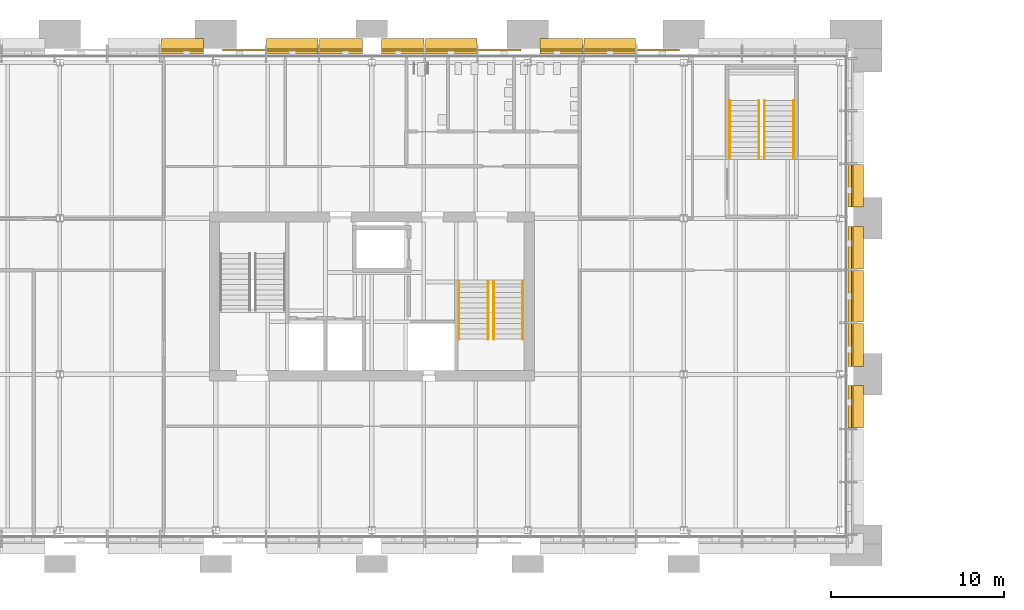
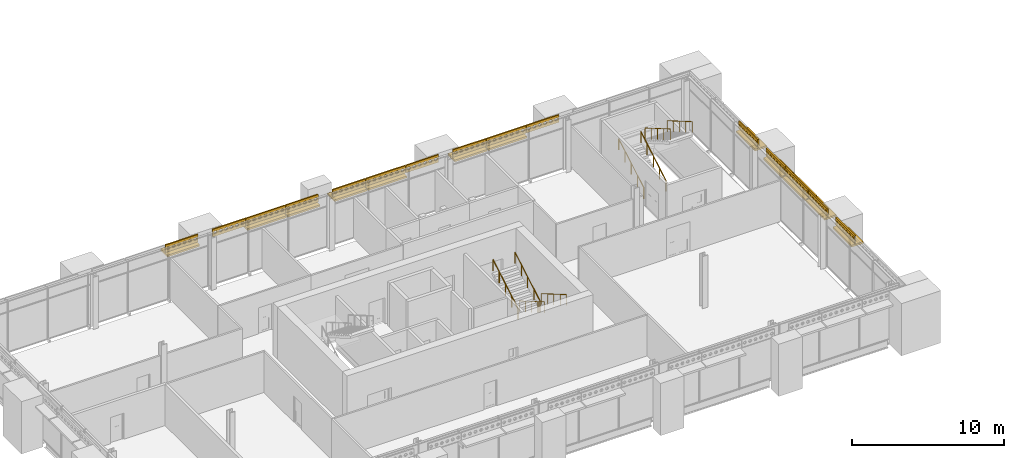
# One storey, part 48 of 54: 27 shading devices, 8 railings.
"""IFC4 building model written with IfcOpenShell, lengths in metres."""

from ifc_helpers import new_model, si_unit, direction, frame, origin, origin_2d, place, context, subcontext, project, spatial, polyline, rectangle, circle, outline, extrude, material, layer, layer_set, type_object, element, save


model = new_model("IFC4")

# Units and contexts
model_context = context("Model", 3, precision=1e-05, world=origin(), true_north=direction((0.0, 1.0)))
body_context = subcontext(model_context, "Body", "Model", "MODEL_VIEW")
ifc_project = project(units=[si_unit("LENGTHUNIT", "METRE"), si_unit("AREAUNIT", "SQUARE_METRE"), si_unit("VOLUMEUNIT", "CUBIC_METRE"), si_unit("PLANEANGLEUNIT", "RADIAN"), si_unit("MASSUNIT", "GRAM", prefix="KILO")], contexts=[model_context])

# Site, building, storey
site_placement = place(None, origin())
site = spatial("IfcSite", under=ifc_project, at=site_placement, CompositionType="ELEMENT")
building_placement = place(site_placement, origin())
building = spatial("IfcBuilding", under=site, at=building_placement, Name="Baradari Gate Terminus", CompositionType="ELEMENT")
storey_placement = place(building_placement, frame((0.0, 0.0, 15.89990234375)))
storey = spatial("IfcBuildingStorey", under=building, at=storey_placement, Name="L03", CompositionType="ELEMENT", Elevation=15.89990234375)

# Shading devices
ifc_material_1 = material(Name="Concrete C40/50 precast", Category="concrete")
ifc_layer_1 = layer(ifc_material_1, 0.14990234375)
ifc_layer_set_1 = layer_set([ifc_layer_1], Name="Concrete C40/50 precast")
shading_device_type_1 = type_object("IfcShadingDeviceType", Name="Chhajja band CJ-1 900x150", PredefinedType="AWNING", material=ifc_layer_set_1)
shading_device_1_placement = place(storey_placement, frame((25.062255859375, 144.919921875, 3.332763671875), z_axis=(0.0, 0.0, 1.0), x_axis=(1.0, 0.0, 0.0)))
element("IfcShadingDevice", 1, at=shading_device_1_placement, inside=storey, type_object=shading_device_type_1, Name="Chhajja band CJ-1 L03/TN bay 6", PredefinedType="AWNING", context=body_context, shape_type="SweptSolid", body=[
    extrude(rectangle(XDim=2.462158203125, YDim=0.89990234375, at=origin_2d()), origin(), (0.0, 0.0, 1.0), 0.14990234375),
])
shading_device_2_placement = place(storey_placement, frame((31.421630859375, 144.919921875, 3.332763671875), z_axis=(0.0, 0.0, 1.0), x_axis=(1.0, 0.0, 0.0)))
element("IfcShadingDevice", 2, at=shading_device_2_placement, inside=storey, type_object=shading_device_type_1, Name="Chhajja band CJ-1 L03/TN bay 8", PredefinedType="AWNING", context=body_context, shape_type="SweptSolid", body=[
    extrude(rectangle(XDim=2.97216796875, YDim=0.89990234375, at=origin_2d()), origin(), (0.0, 0.0, 1.0), 0.14990234375),
])
for number, where, z_axis, x_axis, name in (
    (3, (34.218994140625, 144.919921875, 3.332763671875), (0.0, 0.0, 1.0), (1.0, 0.0, 0.0), "Chhajja band CJ-1 L03/TN bay 9"),
    (4, (37.781005859375, 144.919921875, 3.332763671875), (0.0, 0.0, 1.0), (1.0, 0.0, 0.0), "Chhajja band CJ-1 L03/TN bay 10"),
):
    element("IfcShadingDevice", number, at=place(storey_placement, frame(where, z_axis=z_axis, x_axis=x_axis)), inside=storey, type_object=shading_device_type_1, Name=name, PredefinedType="AWNING", context=body_context, shape_type="SweptSolid", body=[
        extrude(rectangle(XDim=2.462158203125, YDim=0.89990234375, at=origin_2d()), origin(), (0.0, 0.0, 1.0), 0.14990234375),
    ])
shading_device_3_placement = place(storey_placement, frame((40.578369140625, 144.919921875, 3.332763671875), z_axis=(0.0, 0.0, 1.0), x_axis=(1.0, 0.0, 0.0)))
element("IfcShadingDevice", 5, at=shading_device_3_placement, inside=storey, type_object=shading_device_type_1, Name="Chhajja band CJ-1 L03/TN bay 11", PredefinedType="AWNING", context=body_context, shape_type="SweptSolid", body=[
    extrude(rectangle(XDim=2.97216796875, YDim=0.89990234375, at=origin_2d()), origin(), (0.0, 0.0, 1.0), 0.14990234375),
])
shading_device_4_placement = place(storey_placement, frame((46.937744140625, 144.919921875, 3.332763671875), z_axis=(0.0, 0.0, 1.0), x_axis=(1.0, 0.0, 0.0)))
element("IfcShadingDevice", 6, at=shading_device_4_placement, inside=storey, type_object=shading_device_type_1, Name="Chhajja band CJ-1 L03/TN bay 13", PredefinedType="AWNING", context=body_context, shape_type="SweptSolid", body=[
    extrude(rectangle(XDim=2.462158203125, YDim=0.89990234375, at=origin_2d()), origin(), (0.0, 0.0, 1.0), 0.14990234375),
])
shading_device_5_placement = place(storey_placement, frame((49.735107421875, 144.919921875, 3.332763671875), z_axis=(0.0, 0.0, 1.0), x_axis=(1.0, 0.0, 0.0)))
element("IfcShadingDevice", 7, at=shading_device_5_placement, inside=storey, type_object=shading_device_type_1, Name="Chhajja band CJ-1 L03/TN bay 14", PredefinedType="AWNING", context=body_context, shape_type="SweptSolid", body=[
    extrude(rectangle(XDim=2.97216796875, YDim=0.89990234375, at=origin_2d()), origin(), (0.0, 0.0, 1.0), 0.14990234375),
])
for number, where, z_axis, x_axis, name in (
    (8, (63.919921875, 124.125, 3.332763671875), (0.0, 0.0, 1.0), (0.0, 1.0, 0.0), "Chhajja band CJ-1 L03/TE bay 3"),
    (9, (63.919921875, 127.695068359375, 3.332763671875), (0.0, 0.0, 1.0), (0.0, 1.0, 0.0), "Chhajja band CJ-1 L03/TE bay 4"),
):
    element("IfcShadingDevice", number, at=place(storey_placement, frame(where, z_axis=z_axis, x_axis=x_axis)), inside=storey, type_object=shading_device_type_1, Name=name, PredefinedType="AWNING", context=body_context, shape_type="SweptSolid", body=[
        extrude(rectangle(XDim=2.469970703125, YDim=0.89990234375, at=origin_2d()), origin(), (0.0, 0.0, 1.0), 0.14990234375),
    ])
shading_device_6_placement = place(storey_placement, frame((63.919921875, 130.5, 3.332763671875), z_axis=(0.0, 0.0, 1.0), x_axis=(0.0, 1.0, 0.0)))
element("IfcShadingDevice", 10, at=shading_device_6_placement, inside=storey, type_object=shading_device_type_1, Name="Chhajja band CJ-1 L03/TE bay 5", PredefinedType="AWNING", context=body_context, shape_type="SweptSolid", body=[
    extrude(rectangle(XDim=2.97998046875, YDim=0.89990234375, at=origin_2d()), origin(), (0.0, 0.0, 1.0), 0.14990234375),
])
for number, where, z_axis, x_axis, name in (
    (11, (63.919921875, 133.304931640625, 3.332763671875), (0.0, 0.0, 1.0), (0.0, 1.0, 0.0), "Chhajja band CJ-1 L03/TE bay 6"),
    (12, (63.919921875, 136.875, 3.332763671875), (0.0, 0.0, 1.0), (0.0, 1.0, 0.0), "Chhajja band CJ-1 L03/TE bay 7"),
):
    element("IfcShadingDevice", number, at=place(storey_placement, frame(where, z_axis=z_axis, x_axis=x_axis)), inside=storey, type_object=shading_device_type_1, Name=name, PredefinedType="AWNING", context=body_context, shape_type="SweptSolid", body=[
        extrude(rectangle(XDim=2.469970703125, YDim=0.89990234375, at=origin_2d()), origin(), (0.0, 0.0, 1.0), 0.14990234375),
    ])

# Railings
ifc_material_2 = material(Name="Stainless steel 1.4301", Category="steel")
railing_type = type_object("IfcRailingType", Name="Handrail HR-1 900", PredefinedType="HANDRAIL", material=ifc_material_2)
for number, where, name in (
    (13, (44.715087890625, 131.324951171875, 0.175048828125), "Handrail ST-T2 L03 flight 1"),
    (14, (43.034912109375, 131.324951171875, 0.175048828125), "Handrail ST-T2 L03 flight 1"),
):
    element("IfcRailing", number, at=place(storey_placement, frame(where)), inside=storey, type_object=railing_type, Name=name, PredefinedType="HANDRAIL", context=body_context, shape_type="SweptSolid", body=[
        extrude(circle(Radius=0.02392578125, at=origin_2d()), frame((0.0, 0.0, 0.8759765625), z_axis=(0.0, -0.863776583165, 0.503874998761), x_axis=(1.0, 0.0, 0.0)), (0.0, 0.0, 1.0), 3.820556640625),
        extrude(circle(Radius=0.02099609375, at=origin_2d()), origin(), (0.0, 0.0, 1.0), 0.851806640625),
        extrude(circle(Radius=0.02099609375, at=origin_2d()), frame((0.0, -0.824951171875, 0.481201171875)), (0.0, 0.0, 1.0), 0.851806640625),
        extrude(circle(Radius=0.02099609375, at=origin_2d()), frame((0.0, -1.64990234375, 0.96240234375)), (0.0, 0.0, 1.0), 0.851806640625),
        extrude(circle(Radius=0.02099609375, at=origin_2d()), frame((0.0, -2.47509765625, 1.44384765625)), (0.0, 0.0, 1.0), 0.851806640625),
        extrude(circle(Radius=0.02099609375, at=origin_2d()), frame((0.0, -3.300048828125, 1.925048828125)), (0.0, 0.0, 1.0), 0.851806640625),
    ])
for number, where, name in (
    (15, (42.715087890625, 128.02490234375, 2.275146484375), "Handrail ST-T2 L03 flight 2"),
    (16, (41.034912109375, 128.02490234375, 2.275146484375), "Handrail ST-T2 L03 flight 2"),
    (17, (56.659912109375, 138.5, 0.175048828125), "Handrail ST-T3 L03 flight 1"),
    (18, (58.340087890625, 138.5, 0.175048828125), "Handrail ST-T3 L03 flight 1"),
):
    element("IfcRailing", number, at=place(storey_placement, frame(where)), inside=storey, type_object=railing_type, Name=name, PredefinedType="HANDRAIL", context=body_context, shape_type="SweptSolid", body=[
        extrude(circle(Radius=0.02392578125, at=origin_2d()), frame((0.0, 0.0, 0.8759765625), z_axis=(0.0, 0.863776583165, 0.503874998761), x_axis=(-1.0, 0.0, 0.0)), (0.0, 0.0, 1.0), 3.820556640625),
        extrude(circle(Radius=0.02099609375, at=origin_2d()), origin(), (0.0, 0.0, 1.0), 0.851806640625),
        extrude(circle(Radius=0.02099609375, at=origin_2d()), frame((0.0, 0.824951171875, 0.481201171875)), (0.0, 0.0, 1.0), 0.851806640625),
        extrude(circle(Radius=0.02099609375, at=origin_2d()), frame((0.0, 1.64990234375, 0.96240234375)), (0.0, 0.0, 1.0), 0.851806640625),
        extrude(circle(Radius=0.02099609375, at=origin_2d()), frame((0.0, 2.47509765625, 1.44384765625)), (0.0, 0.0, 1.0), 0.851806640625),
        extrude(circle(Radius=0.02099609375, at=origin_2d()), frame((0.0, 3.300048828125, 1.925048828125)), (0.0, 0.0, 1.0), 0.851806640625),
    ])
for number, where, name in (
    (19, (58.659912109375, 141.800048828125, 2.275146484375), "Handrail ST-T3 L03 flight 2"),
    (20, (60.340087890625, 141.800048828125, 2.275146484375), "Handrail ST-T3 L03 flight 2"),
):
    element("IfcRailing", number, at=place(storey_placement, frame(where)), inside=storey, type_object=railing_type, Name=name, PredefinedType="HANDRAIL", context=body_context, shape_type="SweptSolid", body=[
        extrude(circle(Radius=0.02392578125, at=origin_2d()), frame((0.0, 0.0, 0.8759765625), z_axis=(0.0, -0.863776583165, 0.503874998761), x_axis=(1.0, 0.0, 0.0)), (0.0, 0.0, 1.0), 3.820556640625),
        extrude(circle(Radius=0.02099609375, at=origin_2d()), origin(), (0.0, 0.0, 1.0), 0.851806640625),
        extrude(circle(Radius=0.02099609375, at=origin_2d()), frame((0.0, -0.824951171875, 0.481201171875)), (0.0, 0.0, 1.0), 0.851806640625),
        extrude(circle(Radius=0.02099609375, at=origin_2d()), frame((0.0, -1.64990234375, 0.96240234375)), (0.0, 0.0, 1.0), 0.851806640625),
        extrude(circle(Radius=0.02099609375, at=origin_2d()), frame((0.0, -2.47509765625, 1.44384765625)), (0.0, 0.0, 1.0), 0.851806640625),
        extrude(circle(Radius=0.02099609375, at=origin_2d()), frame((0.0, -3.300048828125, 1.925048828125)), (0.0, 0.0, 1.0), 0.851806640625),
    ])

# Shading devices
ifc_material_3 = material(Name="Concrete C50/60 precast", Category="concrete")
ifc_layer_2 = layer(ifc_material_3, 0.10009765625)
ifc_layer_set_2 = layer_set([ifc_layer_2], Name="Concrete C50/60 precast")
shading_device_type_2 = type_object("IfcShadingDeviceType", Name="Jali screen panel JS-1 100", PredefinedType="SHUTTER", material=ifc_layer_set_2)
for number, where, z_axis, x_axis, name in (
    (21, (23.81103515625, 144.719970703125, 3.583740234375), (0.0, 0.0, 1.0), (1.0, 0.0, 0.0), "Jali screen panel JS-1 L03/TN bay 6"),
    (22, (27.393310546875, 144.719970703125, 3.583740234375), (0.0, 0.0, 1.0), (1.0, 0.0, 0.0), "Jali screen panel JS-1 L03/TN bay 7"),
):
    element("IfcShadingDevice", number, at=place(storey_placement, frame(where, z_axis=z_axis, x_axis=x_axis)), inside=storey, type_object=shading_device_type_2, Name=name, PredefinedType="SHUTTER", context=body_context, shape_type="SweptSolid", body=[
        extrude(outline(polyline([(0.0, 0.0), (2.482177734375, 0.0), (2.482177734375, 0.60009765625), (0.0, 0.60009765625), (0.0, 0.0)]), holes=[polyline([(0.3369140625, 0.300048828125), (0.27197265625, 0.1875), (0.141845703125, 0.1875), (0.076904296875, 0.300048828125), (0.141845703125, 0.41259765625), (0.27197265625, 0.41259765625), (0.3369140625, 0.300048828125)]), polyline([(0.75048828125, 0.300048828125), (0.685546875, 0.1875), (0.5556640625, 0.1875), (0.490478515625, 0.300048828125), (0.5556640625, 0.41259765625), (0.685546875, 0.41259765625), (0.75048828125, 0.300048828125)]), polyline([(1.164306640625, 0.300048828125), (1.099365234375, 0.1875), (0.96923828125, 0.1875), (0.904296875, 0.300048828125), (0.96923828125, 0.41259765625), (1.099365234375, 0.41259765625), (1.164306640625, 0.300048828125)]), polyline([(1.577880859375, 0.300048828125), (1.512939453125, 0.1875), (1.383056640625, 0.1875), (1.31787109375, 0.300048828125), (1.383056640625, 0.41259765625), (1.512939453125, 0.41259765625), (1.577880859375, 0.300048828125)]), polyline([(1.99169921875, 0.300048828125), (1.9267578125, 0.1875), (1.796630859375, 0.1875), (1.731689453125, 0.300048828125), (1.796630859375, 0.41259765625), (1.9267578125, 0.41259765625), (1.99169921875, 0.300048828125)]), polyline([(2.4052734375, 0.300048828125), (2.34033203125, 0.1875), (2.21044921875, 0.1875), (2.145263671875, 0.300048828125), (2.21044921875, 0.41259765625), (2.34033203125, 0.41259765625), (2.4052734375, 0.300048828125)])]), frame((0.0, 0.050048828125, 0.0), z_axis=(0.0, -1.0, 0.0), x_axis=(1.0, 0.0, 0.0)), (0.0, 0.0, 1.0), 0.10009765625),
    ])
shading_device_7_placement = place(storey_placement, frame((29.91552734375, 144.719970703125, 3.583740234375), z_axis=(0.0, 0.0, 1.0), x_axis=(1.0, 0.0, 0.0)))
element("IfcShadingDevice", 23, at=shading_device_7_placement, inside=storey, type_object=shading_device_type_2, Name="Jali screen panel JS-1 L03/TN bay 8", PredefinedType="SHUTTER", context=body_context, shape_type="SweptSolid", body=[
    extrude(outline(polyline([(0.0, 0.0), (3.01220703125, 0.0), (3.01220703125, 0.60009765625), (0.0, 0.60009765625), (0.0, 0.0)]), holes=[polyline([(0.34521484375, 0.300048828125), (0.2802734375, 0.1875), (0.150146484375, 0.1875), (0.085205078125, 0.300048828125), (0.150146484375, 0.41259765625), (0.2802734375, 0.41259765625), (0.34521484375, 0.300048828125)]), polyline([(0.775390625, 0.300048828125), (0.71044921875, 0.1875), (0.58056640625, 0.1875), (0.515380859375, 0.300048828125), (0.58056640625, 0.41259765625), (0.71044921875, 0.41259765625), (0.775390625, 0.300048828125)]), polyline([(1.205810546875, 0.300048828125), (1.140869140625, 0.1875), (1.0107421875, 0.1875), (0.94580078125, 0.300048828125), (1.0107421875, 0.41259765625), (1.140869140625, 0.41259765625), (1.205810546875, 0.300048828125)]), polyline([(1.63623046875, 0.300048828125), (1.571044921875, 0.1875), (1.441162109375, 0.1875), (1.376220703125, 0.300048828125), (1.441162109375, 0.41259765625), (1.571044921875, 0.41259765625), (1.63623046875, 0.300048828125)]), polyline([(2.06640625, 0.300048828125), (2.00146484375, 0.1875), (1.871337890625, 0.1875), (1.806396484375, 0.300048828125), (1.871337890625, 0.41259765625), (2.00146484375, 0.41259765625), (2.06640625, 0.300048828125)]), polyline([(2.496826171875, 0.300048828125), (2.431640625, 0.1875), (2.3017578125, 0.1875), (2.23681640625, 0.300048828125), (2.3017578125, 0.41259765625), (2.431640625, 0.41259765625), (2.496826171875, 0.300048828125)]), polyline([(2.927001953125, 0.300048828125), (2.862060546875, 0.1875), (2.732177734375, 0.1875), (2.6669921875, 0.300048828125), (2.732177734375, 0.41259765625), (2.862060546875, 0.41259765625), (2.927001953125, 0.300048828125)])]), frame((0.0, 0.050048828125, 0.0), z_axis=(0.0, -1.0, 0.0), x_axis=(1.0, 0.0, 0.0)), (0.0, 0.0, 1.0), 0.10009765625),
])
for number, where, z_axis, x_axis, name in (
    (24, (32.9677734375, 144.719970703125, 3.583740234375), (0.0, 0.0, 1.0), (1.0, 0.0, 0.0), "Jali screen panel JS-1 L03/TN bay 9"),
    (25, (36.550048828125, 144.719970703125, 3.583740234375), (0.0, 0.0, 1.0), (1.0, 0.0, 0.0), "Jali screen panel JS-1 L03/TN bay 10"),
):
    element("IfcShadingDevice", number, at=place(storey_placement, frame(where, z_axis=z_axis, x_axis=x_axis)), inside=storey, type_object=shading_device_type_2, Name=name, PredefinedType="SHUTTER", context=body_context, shape_type="SweptSolid", body=[
        extrude(outline(polyline([(0.0, 0.0), (2.482177734375, 0.0), (2.482177734375, 0.60009765625), (0.0, 0.60009765625), (0.0, 0.0)]), holes=[polyline([(0.3369140625, 0.300048828125), (0.27197265625, 0.1875), (0.141845703125, 0.1875), (0.076904296875, 0.300048828125), (0.141845703125, 0.41259765625), (0.27197265625, 0.41259765625), (0.3369140625, 0.300048828125)]), polyline([(0.75048828125, 0.300048828125), (0.685546875, 0.1875), (0.5556640625, 0.1875), (0.490478515625, 0.300048828125), (0.5556640625, 0.41259765625), (0.685546875, 0.41259765625), (0.75048828125, 0.300048828125)]), polyline([(1.164306640625, 0.300048828125), (1.099365234375, 0.1875), (0.96923828125, 0.1875), (0.904296875, 0.300048828125), (0.96923828125, 0.41259765625), (1.099365234375, 0.41259765625), (1.164306640625, 0.300048828125)]), polyline([(1.577880859375, 0.300048828125), (1.512939453125, 0.1875), (1.383056640625, 0.1875), (1.31787109375, 0.300048828125), (1.383056640625, 0.41259765625), (1.512939453125, 0.41259765625), (1.577880859375, 0.300048828125)]), polyline([(1.99169921875, 0.300048828125), (1.9267578125, 0.1875), (1.796630859375, 0.1875), (1.731689453125, 0.300048828125), (1.796630859375, 0.41259765625), (1.9267578125, 0.41259765625), (1.99169921875, 0.300048828125)]), polyline([(2.4052734375, 0.300048828125), (2.34033203125, 0.1875), (2.21044921875, 0.1875), (2.145263671875, 0.300048828125), (2.21044921875, 0.41259765625), (2.34033203125, 0.41259765625), (2.4052734375, 0.300048828125)])]), frame((0.0, 0.050048828125, 0.0), z_axis=(0.0, -1.0, 0.0), x_axis=(1.0, 0.0, 0.0)), (0.0, 0.0, 1.0), 0.10009765625),
    ])
shading_device_8_placement = place(storey_placement, frame((39.072265625, 144.719970703125, 3.583740234375), z_axis=(0.0, 0.0, 1.0), x_axis=(1.0, 0.0, 0.0)))
element("IfcShadingDevice", 26, at=shading_device_8_placement, inside=storey, type_object=shading_device_type_2, Name="Jali screen panel JS-1 L03/TN bay 11", PredefinedType="SHUTTER", context=body_context, shape_type="SweptSolid", body=[
    extrude(outline(polyline([(0.0, 0.0), (3.01220703125, 0.0), (3.01220703125, 0.60009765625), (0.0, 0.60009765625), (0.0, 0.0)]), holes=[polyline([(0.34521484375, 0.300048828125), (0.2802734375, 0.1875), (0.150146484375, 0.1875), (0.085205078125, 0.300048828125), (0.150146484375, 0.41259765625), (0.2802734375, 0.41259765625), (0.34521484375, 0.300048828125)]), polyline([(0.775390625, 0.300048828125), (0.71044921875, 0.1875), (0.58056640625, 0.1875), (0.515380859375, 0.300048828125), (0.58056640625, 0.41259765625), (0.71044921875, 0.41259765625), (0.775390625, 0.300048828125)]), polyline([(1.205810546875, 0.300048828125), (1.140869140625, 0.1875), (1.0107421875, 0.1875), (0.94580078125, 0.300048828125), (1.0107421875, 0.41259765625), (1.140869140625, 0.41259765625), (1.205810546875, 0.300048828125)]), polyline([(1.63623046875, 0.300048828125), (1.571044921875, 0.1875), (1.441162109375, 0.1875), (1.376220703125, 0.300048828125), (1.441162109375, 0.41259765625), (1.571044921875, 0.41259765625), (1.63623046875, 0.300048828125)]), polyline([(2.06640625, 0.300048828125), (2.00146484375, 0.1875), (1.871337890625, 0.1875), (1.806396484375, 0.300048828125), (1.871337890625, 0.41259765625), (2.00146484375, 0.41259765625), (2.06640625, 0.300048828125)]), polyline([(2.496826171875, 0.300048828125), (2.431640625, 0.1875), (2.3017578125, 0.1875), (2.23681640625, 0.300048828125), (2.3017578125, 0.41259765625), (2.431640625, 0.41259765625), (2.496826171875, 0.300048828125)]), polyline([(2.927001953125, 0.300048828125), (2.862060546875, 0.1875), (2.732177734375, 0.1875), (2.6669921875, 0.300048828125), (2.732177734375, 0.41259765625), (2.862060546875, 0.41259765625), (2.927001953125, 0.300048828125)])]), frame((0.0, 0.050048828125, 0.0), z_axis=(0.0, -1.0, 0.0), x_axis=(1.0, 0.0, 0.0)), (0.0, 0.0, 1.0), 0.10009765625),
])
for number, where, z_axis, x_axis, name in (
    (27, (42.12451171875, 144.719970703125, 3.583740234375), (0.0, 0.0, 1.0), (1.0, 0.0, 0.0), "Jali screen panel JS-1 L03/TN bay 12"),
    (28, (45.706787109375, 144.719970703125, 3.583740234375), (0.0, 0.0, 1.0), (1.0, 0.0, 0.0), "Jali screen panel JS-1 L03/TN bay 13"),
):
    element("IfcShadingDevice", number, at=place(storey_placement, frame(where, z_axis=z_axis, x_axis=x_axis)), inside=storey, type_object=shading_device_type_2, Name=name, PredefinedType="SHUTTER", context=body_context, shape_type="SweptSolid", body=[
        extrude(outline(polyline([(0.0, 0.0), (2.482177734375, 0.0), (2.482177734375, 0.60009765625), (0.0, 0.60009765625), (0.0, 0.0)]), holes=[polyline([(0.3369140625, 0.300048828125), (0.27197265625, 0.1875), (0.141845703125, 0.1875), (0.076904296875, 0.300048828125), (0.141845703125, 0.41259765625), (0.27197265625, 0.41259765625), (0.3369140625, 0.300048828125)]), polyline([(0.75048828125, 0.300048828125), (0.685546875, 0.1875), (0.5556640625, 0.1875), (0.490478515625, 0.300048828125), (0.5556640625, 0.41259765625), (0.685546875, 0.41259765625), (0.75048828125, 0.300048828125)]), polyline([(1.164306640625, 0.300048828125), (1.099365234375, 0.1875), (0.96923828125, 0.1875), (0.904296875, 0.300048828125), (0.96923828125, 0.41259765625), (1.099365234375, 0.41259765625), (1.164306640625, 0.300048828125)]), polyline([(1.577880859375, 0.300048828125), (1.512939453125, 0.1875), (1.383056640625, 0.1875), (1.31787109375, 0.300048828125), (1.383056640625, 0.41259765625), (1.512939453125, 0.41259765625), (1.577880859375, 0.300048828125)]), polyline([(1.99169921875, 0.300048828125), (1.9267578125, 0.1875), (1.796630859375, 0.1875), (1.731689453125, 0.300048828125), (1.796630859375, 0.41259765625), (1.9267578125, 0.41259765625), (1.99169921875, 0.300048828125)]), polyline([(2.4052734375, 0.300048828125), (2.34033203125, 0.1875), (2.21044921875, 0.1875), (2.145263671875, 0.300048828125), (2.21044921875, 0.41259765625), (2.34033203125, 0.41259765625), (2.4052734375, 0.300048828125)])]), frame((0.0, 0.050048828125, 0.0), z_axis=(0.0, -1.0, 0.0), x_axis=(1.0, 0.0, 0.0)), (0.0, 0.0, 1.0), 0.10009765625),
    ])
shading_device_9_placement = place(storey_placement, frame((48.22900390625, 144.719970703125, 3.583740234375), z_axis=(0.0, 0.0, 1.0), x_axis=(1.0, 0.0, 0.0)))
element("IfcShadingDevice", 29, at=shading_device_9_placement, inside=storey, type_object=shading_device_type_2, Name="Jali screen panel JS-1 L03/TN bay 14", PredefinedType="SHUTTER", context=body_context, shape_type="SweptSolid", body=[
    extrude(outline(polyline([(0.0, 0.0), (3.01220703125, 0.0), (3.01220703125, 0.60009765625), (0.0, 0.60009765625), (0.0, 0.0)]), holes=[polyline([(0.34521484375, 0.300048828125), (0.2802734375, 0.1875), (0.150146484375, 0.1875), (0.085205078125, 0.300048828125), (0.150146484375, 0.41259765625), (0.2802734375, 0.41259765625), (0.34521484375, 0.300048828125)]), polyline([(0.775390625, 0.300048828125), (0.71044921875, 0.1875), (0.58056640625, 0.1875), (0.515380859375, 0.300048828125), (0.58056640625, 0.41259765625), (0.71044921875, 0.41259765625), (0.775390625, 0.300048828125)]), polyline([(1.205810546875, 0.300048828125), (1.140869140625, 0.1875), (1.0107421875, 0.1875), (0.94580078125, 0.300048828125), (1.0107421875, 0.41259765625), (1.140869140625, 0.41259765625), (1.205810546875, 0.300048828125)]), polyline([(1.63623046875, 0.300048828125), (1.571044921875, 0.1875), (1.441162109375, 0.1875), (1.376220703125, 0.300048828125), (1.441162109375, 0.41259765625), (1.571044921875, 0.41259765625), (1.63623046875, 0.300048828125)]), polyline([(2.06640625, 0.300048828125), (2.00146484375, 0.1875), (1.871337890625, 0.1875), (1.806396484375, 0.300048828125), (1.871337890625, 0.41259765625), (2.00146484375, 0.41259765625), (2.06640625, 0.300048828125)]), polyline([(2.496826171875, 0.300048828125), (2.431640625, 0.1875), (2.3017578125, 0.1875), (2.23681640625, 0.300048828125), (2.3017578125, 0.41259765625), (2.431640625, 0.41259765625), (2.496826171875, 0.300048828125)]), polyline([(2.927001953125, 0.300048828125), (2.862060546875, 0.1875), (2.732177734375, 0.1875), (2.6669921875, 0.300048828125), (2.732177734375, 0.41259765625), (2.862060546875, 0.41259765625), (2.927001953125, 0.300048828125)])]), frame((0.0, 0.050048828125, 0.0), z_axis=(0.0, -1.0, 0.0), x_axis=(1.0, 0.0, 0.0)), (0.0, 0.0, 1.0), 0.10009765625),
])
shading_device_10_placement = place(storey_placement, frame((51.281005859375, 144.719970703125, 3.583740234375), z_axis=(0.0, 0.0, 1.0), x_axis=(1.0, 0.0, 0.0)))
element("IfcShadingDevice", 30, at=shading_device_10_placement, inside=storey, type_object=shading_device_type_2, Name="Jali screen panel JS-1 L03/TN bay 15", PredefinedType="SHUTTER", context=body_context, shape_type="SweptSolid", body=[
    extrude(outline(polyline([(0.0, 0.0), (2.482421875, 0.0), (2.482421875, 0.60009765625), (0.0, 0.60009765625), (0.0, 0.0)]), holes=[polyline([(0.3369140625, 0.300048828125), (0.27197265625, 0.1875), (0.141845703125, 0.1875), (0.076904296875, 0.300048828125), (0.141845703125, 0.41259765625), (0.27197265625, 0.41259765625), (0.3369140625, 0.300048828125)]), polyline([(0.75048828125, 0.300048828125), (0.685546875, 0.1875), (0.5556640625, 0.1875), (0.490478515625, 0.300048828125), (0.5556640625, 0.41259765625), (0.685546875, 0.41259765625), (0.75048828125, 0.300048828125)]), polyline([(1.164306640625, 0.300048828125), (1.099365234375, 0.1875), (0.96923828125, 0.1875), (0.904296875, 0.300048828125), (0.96923828125, 0.41259765625), (1.099365234375, 0.41259765625), (1.164306640625, 0.300048828125)]), polyline([(1.577880859375, 0.300048828125), (1.512939453125, 0.1875), (1.383056640625, 0.1875), (1.31787109375, 0.300048828125), (1.383056640625, 0.41259765625), (1.512939453125, 0.41259765625), (1.577880859375, 0.300048828125)]), polyline([(1.99169921875, 0.300048828125), (1.9267578125, 0.1875), (1.796630859375, 0.1875), (1.731689453125, 0.300048828125), (1.796630859375, 0.41259765625), (1.9267578125, 0.41259765625), (1.99169921875, 0.300048828125)]), polyline([(2.4052734375, 0.300048828125), (2.34033203125, 0.1875), (2.21044921875, 0.1875), (2.145263671875, 0.300048828125), (2.21044921875, 0.41259765625), (2.34033203125, 0.41259765625), (2.4052734375, 0.300048828125)])]), frame((0.0, 0.050048828125, 0.0), z_axis=(0.0, -1.0, 0.0), x_axis=(1.0, 0.0, 0.0)), (0.0, 0.0, 1.0), 0.10009765625),
])
for number, where, z_axis, x_axis, name in (
    (31, (63.719970703125, 122.8701171875, 3.583740234375), (0.0, 0.0, 1.0), (0.0, 1.0, 0.0), "Jali screen panel JS-1 L03/TE bay 3"),
    (32, (63.719970703125, 126.4599609375, 3.583740234375), (0.0, 0.0, 1.0), (0.0, 1.0, 0.0), "Jali screen panel JS-1 L03/TE bay 4"),
):
    element("IfcShadingDevice", number, at=place(storey_placement, frame(where, z_axis=z_axis, x_axis=x_axis)), inside=storey, type_object=shading_device_type_2, Name=name, PredefinedType="SHUTTER", context=body_context, shape_type="SweptSolid", body=[
        extrude(outline(polyline([(0.0, 0.0), (2.489990234375, 0.0), (2.489990234375, 0.60009765625), (0.0, 0.60009765625), (0.0, 0.0)]), holes=[polyline([(0.33740234375, 0.300048828125), (0.2724609375, 0.1875), (0.142578125, 0.1875), (0.077392578125, 0.300048828125), (0.142578125, 0.41259765625), (0.2724609375, 0.41259765625), (0.33740234375, 0.300048828125)]), polyline([(0.75244140625, 0.300048828125), (0.6875, 0.1875), (0.5576171875, 0.1875), (0.492431640625, 0.300048828125), (0.5576171875, 0.41259765625), (0.6875, 0.41259765625), (0.75244140625, 0.300048828125)]), polyline([(1.16748046875, 0.300048828125), (1.1025390625, 0.1875), (0.972412109375, 0.1875), (0.907470703125, 0.300048828125), (0.972412109375, 0.41259765625), (1.1025390625, 0.41259765625), (1.16748046875, 0.300048828125)]), polyline([(1.58251953125, 0.300048828125), (1.517578125, 0.1875), (1.387451171875, 0.1875), (1.322509765625, 0.300048828125), (1.387451171875, 0.41259765625), (1.517578125, 0.41259765625), (1.58251953125, 0.300048828125)]), polyline([(1.99755859375, 0.300048828125), (1.9326171875, 0.1875), (1.802490234375, 0.1875), (1.737548828125, 0.300048828125), (1.802490234375, 0.41259765625), (1.9326171875, 0.41259765625), (1.99755859375, 0.300048828125)]), polyline([(2.41259765625, 0.300048828125), (2.347412109375, 0.1875), (2.217529296875, 0.1875), (2.152587890625, 0.300048828125), (2.217529296875, 0.41259765625), (2.347412109375, 0.41259765625), (2.41259765625, 0.300048828125)])]), frame((0.0, 0.050048828125, 0.0), z_axis=(0.0, -1.0, 0.0), x_axis=(1.0, 0.0, 0.0)), (0.0, 0.0, 1.0), 0.10009765625),
    ])
shading_device_11_placement = place(storey_placement, frame((63.719970703125, 128.989990234375, 3.583740234375), z_axis=(0.0, 0.0, 1.0), x_axis=(0.0, 1.0, 0.0)))
element("IfcShadingDevice", 33, at=shading_device_11_placement, inside=storey, type_object=shading_device_type_2, Name="Jali screen panel JS-1 L03/TE bay 5", PredefinedType="SHUTTER", context=body_context, shape_type="SweptSolid", body=[
    extrude(outline(polyline([(0.0, 0.0), (3.02001953125, 0.0), (3.02001953125, 0.60009765625), (0.0, 0.60009765625), (0.0, 0.0)]), holes=[polyline([(0.345703125, 0.300048828125), (0.28076171875, 0.1875), (0.150634765625, 0.1875), (0.085693359375, 0.300048828125), (0.150634765625, 0.41259765625), (0.28076171875, 0.41259765625), (0.345703125, 0.300048828125)]), polyline([(0.777099609375, 0.300048828125), (0.712158203125, 0.1875), (0.58203125, 0.1875), (0.51708984375, 0.300048828125), (0.58203125, 0.41259765625), (0.712158203125, 0.41259765625), (0.777099609375, 0.300048828125)]), polyline([(1.20849609375, 0.300048828125), (1.1435546875, 0.1875), (1.013671875, 0.1875), (0.948486328125, 0.300048828125), (1.013671875, 0.41259765625), (1.1435546875, 0.41259765625), (1.20849609375, 0.300048828125)]), polyline([(1.639892578125, 0.300048828125), (1.574951171875, 0.1875), (1.445068359375, 0.1875), (1.3798828125, 0.300048828125), (1.445068359375, 0.41259765625), (1.574951171875, 0.41259765625), (1.639892578125, 0.300048828125)]), polyline([(2.071533203125, 0.300048828125), (2.00634765625, 0.1875), (1.87646484375, 0.1875), (1.8115234375, 0.300048828125), (1.87646484375, 0.41259765625), (2.00634765625, 0.41259765625), (2.071533203125, 0.300048828125)]), polyline([(2.5029296875, 0.300048828125), (2.437744140625, 0.1875), (2.307861328125, 0.1875), (2.242919921875, 0.300048828125), (2.307861328125, 0.41259765625), (2.437744140625, 0.41259765625), (2.5029296875, 0.300048828125)]), polyline([(2.934326171875, 0.300048828125), (2.869384765625, 0.1875), (2.7392578125, 0.1875), (2.67431640625, 0.300048828125), (2.7392578125, 0.41259765625), (2.869384765625, 0.41259765625), (2.934326171875, 0.300048828125)])]), frame((0.0, 0.050048828125, 0.0), z_axis=(0.0, -1.0, 0.0), x_axis=(1.0, 0.0, 0.0)), (0.0, 0.0, 1.0), 0.10009765625),
])
for number, where, z_axis, x_axis, name in (
    (34, (63.719970703125, 132.050048828125, 3.583740234375), (0.0, 0.0, 1.0), (0.0, 1.0, 0.0), "Jali screen panel JS-1 L03/TE bay 6"),
    (35, (63.719970703125, 135.639892578125, 3.583740234375), (0.0, 0.0, 1.0), (0.0, 1.0, 0.0), "Jali screen panel JS-1 L03/TE bay 7"),
):
    element("IfcShadingDevice", number, at=place(storey_placement, frame(where, z_axis=z_axis, x_axis=x_axis)), inside=storey, type_object=shading_device_type_2, Name=name, PredefinedType="SHUTTER", context=body_context, shape_type="SweptSolid", body=[
        extrude(outline(polyline([(0.0, 0.0), (2.489990234375, 0.0), (2.489990234375, 0.60009765625), (0.0, 0.60009765625), (0.0, 0.0)]), holes=[polyline([(0.33740234375, 0.300048828125), (0.2724609375, 0.1875), (0.142578125, 0.1875), (0.077392578125, 0.300048828125), (0.142578125, 0.41259765625), (0.2724609375, 0.41259765625), (0.33740234375, 0.300048828125)]), polyline([(0.75244140625, 0.300048828125), (0.6875, 0.1875), (0.5576171875, 0.1875), (0.492431640625, 0.300048828125), (0.5576171875, 0.41259765625), (0.6875, 0.41259765625), (0.75244140625, 0.300048828125)]), polyline([(1.16748046875, 0.300048828125), (1.1025390625, 0.1875), (0.972412109375, 0.1875), (0.907470703125, 0.300048828125), (0.972412109375, 0.41259765625), (1.1025390625, 0.41259765625), (1.16748046875, 0.300048828125)]), polyline([(1.58251953125, 0.300048828125), (1.517578125, 0.1875), (1.387451171875, 0.1875), (1.322509765625, 0.300048828125), (1.387451171875, 0.41259765625), (1.517578125, 0.41259765625), (1.58251953125, 0.300048828125)]), polyline([(1.99755859375, 0.300048828125), (1.9326171875, 0.1875), (1.802490234375, 0.1875), (1.737548828125, 0.300048828125), (1.802490234375, 0.41259765625), (1.9326171875, 0.41259765625), (1.99755859375, 0.300048828125)]), polyline([(2.41259765625, 0.300048828125), (2.347412109375, 0.1875), (2.217529296875, 0.1875), (2.152587890625, 0.300048828125), (2.217529296875, 0.41259765625), (2.347412109375, 0.41259765625), (2.41259765625, 0.300048828125)])]), frame((0.0, 0.050048828125, 0.0), z_axis=(0.0, -1.0, 0.0), x_axis=(1.0, 0.0, 0.0)), (0.0, 0.0, 1.0), 0.10009765625),
    ])

save(model, "model.ifc")
